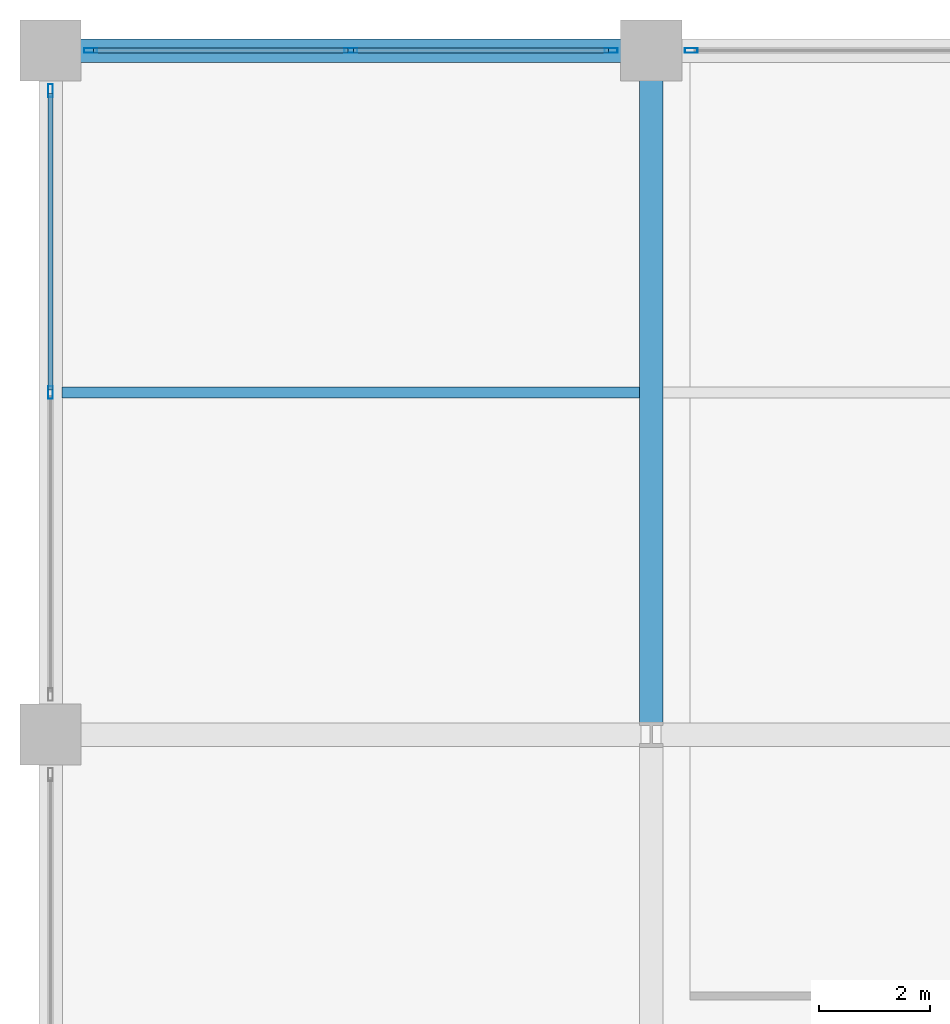
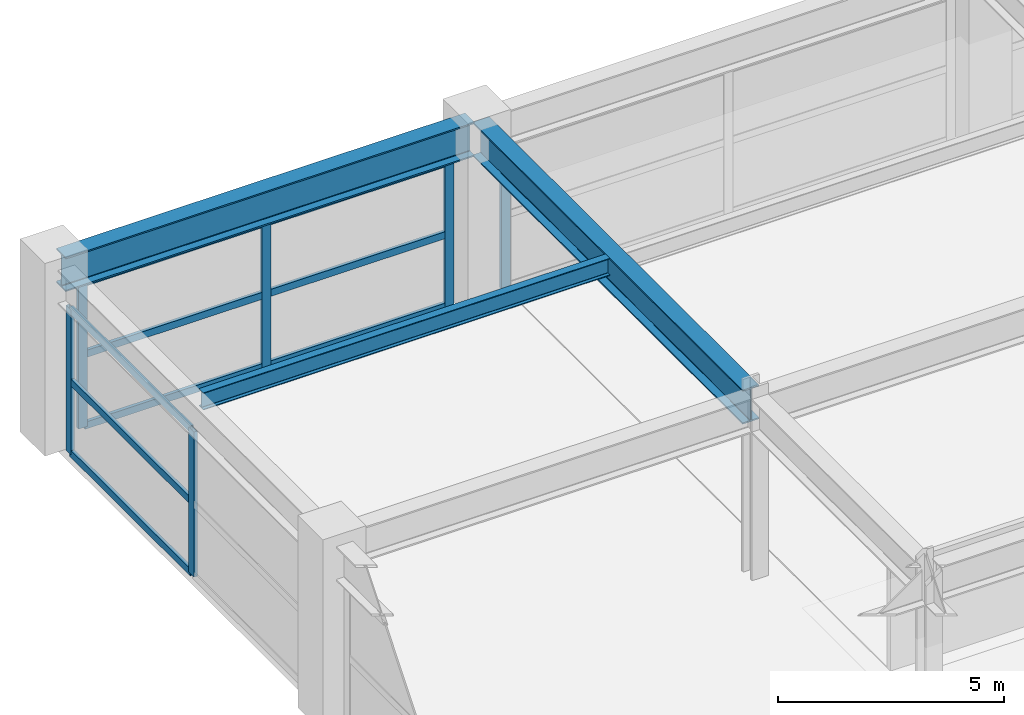
# One storey, part 15 of 45: 15 members, 3 beams, 3 elements without a shape of their own.
"""IFC4 building model written with IfcOpenShell, lengths in metres."""

from ifc_helpers import new_model, si_unit, direction, frame, origin, origin_2d, place, context, subcontext, project, spatial, hollow_rectangle, i_section, extrude, material, material_profile, profile_set, type_object, element, aggregate, save


model = new_model("IFC4")

# Units and contexts
model_context = context("Model", 3, precision=1e-05, world=origin(), true_north=direction((0.0, 1.0)))
body_context = subcontext(model_context, "Body", "Model", "MODEL_VIEW")
ifc_project = project(units=[si_unit("LENGTHUNIT", "METRE"), si_unit("AREAUNIT", "SQUARE_METRE"), si_unit("VOLUMEUNIT", "CUBIC_METRE"), si_unit("PLANEANGLEUNIT", "RADIAN"), si_unit("MASSUNIT", "GRAM", prefix="KILO")], contexts=[model_context])

# Site, building, storey
site_placement = place(None, origin())
site = spatial("IfcSite", under=ifc_project, at=site_placement, CompositionType="ELEMENT")
building_placement = place(site_placement, origin())
building = spatial("IfcBuilding", under=site, at=building_placement, Name="Kovane Verandah Tower", CompositionType="ELEMENT")
storey_placement = place(building_placement, frame((0.0, 0.0, 6.0)))
storey = spatial("IfcBuildingStorey", under=building, at=storey_placement, Name="L01", CompositionType="ELEMENT", Elevation=6.0)

# Beams
ifc_material_1 = material(Name="Steel S460", Category="steel")
ifc_material_profile_1 = material_profile(ifc_material_1, i_section(OverallWidth=0.42041015625, OverallDepth=0.9208984375, WebThickness=0.021484375, FlangeThickness=0.03662109375, FilletRadius=0.024169921875, at=origin_2d()), Name="UB914x419x388")
ifc_profile_set_1 = profile_set([ifc_material_profile_1], Name="Steel S460")
beam_type_1 = type_object("IfcBeamType", Name="BM-UB914x388", PredefinedType="BEAM", material=ifc_profile_set_1)
beam_1_placement = place(storey_placement, frame((-1.820068359375, 56.5, 4.439453125), z_axis=(1.0, 0.0, 0.0), x_axis=(0.0, 1.0, 0.0)))
element("IfcBeam", 1, at=beam_1_placement, inside=storey, type_object=beam_type_1, Name="L01 Podium Grid Girder X17", PredefinedType="BEAM", context=body_context, shape_type="SweptSolid", body=[
    extrude(i_section(OverallWidth=0.42041015625, OverallDepth=0.9208984375, WebThickness=0.021484375, FlangeThickness=0.03662109375, FilletRadius=0.024169921875, at=origin_2d()), origin(), (0.0, 0.0, 1.0), 10.440185546875),
])
beam_2_placement = place(storey_placement, frame((8.800048828125, 44.3798828125, 4.439453125), z_axis=(0.0, 1.0, 0.0), x_axis=(-1.0, 0.0, 0.0)))
element("IfcBeam", 2, at=beam_2_placement, inside=storey, type_object=beam_type_1, Name="L01 Podium Grid Girder Y31", PredefinedType="BEAM", context=body_context, shape_type="SweptSolid", body=[
    extrude(i_section(OverallWidth=0.42041015625, OverallDepth=0.9208984375, WebThickness=0.021484375, FlangeThickness=0.03662109375, FilletRadius=0.024169921875, at=origin_2d()), origin(), (0.0, 0.0, 1.0), 11.940185546875),
])

# Curtain wall, members
ifc_material_2 = material(Name="Champagne Anodised Aluminium Frame with Low-E Clear Laminated Glass", Category="aluminium")
curtain_wall_type = type_object("IfcCurtainWallType", Name="CW-SYS-01-POD", PredefinedType="NOTDEFINED", material=ifc_material_2)
curtain_wall_1_placement = place(storey_placement, origin())
curtain_wall_1 = element("IfcCurtainWall", 3, at=curtain_wall_1_placement, inside=storey, type_object=curtain_wall_type, Name="L01 North Podium Curtain Wall Bay 1", PredefinedType="NOTDEFINED")
ifc_material_3 = material(Name="Champagne Anodised Aluminium 6063-T6", Category="aluminium")
ifc_material_profile_2 = material_profile(ifc_material_3, hollow_rectangle(XDim=0.0849609375, YDim=0.22998046875, WallThickness=0.00390625, at=origin_2d()), Name="AL85x230x4")
ifc_profile_set_2 = profile_set([ifc_material_profile_2], Name="Champagne Anodised Aluminium 6063-T6")
member_type_1 = type_object("IfcMemberType", Name="CW-MUL-85x230", PredefinedType="MULLION", material=ifc_profile_set_2)
member_1_placement = place(storey_placement, frame((8.080078125, 56.5, 0.02001953125), z_axis=(0.0, 0.0, 1.0), x_axis=(0.0, 1.0, 0.0)))
member_1 = element("IfcMember", 4, at=member_1_placement, type_object=member_type_1, Name="L01 North Podium Curtain Wall Bay 1 Mullion 1", PredefinedType="MULLION", context=body_context, shape_type="SweptSolid", body=[
    extrude(hollow_rectangle(XDim=0.0849609375, YDim=0.22998046875, WallThickness=0.00390625, at=origin_2d()), origin(), (0.0, 0.0, 1.0), 3.9189453125),
])
member_2_placement = place(storey_placement, frame((3.39990234375, 56.5, 0.02001953125), z_axis=(0.0, 0.0, 1.0), x_axis=(0.0, 1.0, 0.0)))
member_2 = element("IfcMember", 5, at=member_2_placement, type_object=member_type_1, Name="L01 North Podium Curtain Wall Bay 1 Mullion 2", PredefinedType="MULLION", context=body_context, shape_type="SweptSolid", body=[
    extrude(hollow_rectangle(XDim=0.0849609375, YDim=0.22998046875, WallThickness=0.00390625, at=origin_2d()), origin(), (0.0, 0.0, 1.0), 3.9189453125),
])
member_3_placement = place(storey_placement, frame((-1.280029296875, 56.5, 0.02001953125), z_axis=(0.0, 0.0, 1.0), x_axis=(0.0, 1.0, 0.0)))
member_3 = element("IfcMember", 6, at=member_3_placement, type_object=member_type_1, Name="L01 North Podium Curtain Wall Bay 1 Mullion 3", PredefinedType="MULLION", context=body_context, shape_type="SweptSolid", body=[
    extrude(hollow_rectangle(XDim=0.0849609375, YDim=0.22998046875, WallThickness=0.00390625, at=origin_2d()), origin(), (0.0, 0.0, 1.0), 3.9189453125),
])

# Curtain wall, member
curtain_wall_2_placement = place(storey_placement, origin())
curtain_wall_2 = element("IfcCurtainWall", 7, at=curtain_wall_2_placement, inside=storey, type_object=curtain_wall_type, Name="L01 North Podium Curtain Wall Bay 2", PredefinedType="NOTDEFINED")
member_4_placement = place(storey_placement, frame((9.52001953125, 56.5, 0.02001953125), z_axis=(0.0, 0.0, 1.0), x_axis=(0.0, 1.0, 0.0)))
member_4 = element("IfcMember", 8, at=member_4_placement, type_object=member_type_1, Name="L01 North Podium Curtain Wall Bay 2 Mullion 3", PredefinedType="MULLION", context=body_context, shape_type="SweptSolid", body=[
    extrude(hollow_rectangle(XDim=0.0849609375, YDim=0.22998046875, WallThickness=0.00390625, at=origin_2d()), origin(), (0.0, 0.0, 1.0), 3.9189453125),
])
aggregate(curtain_wall_2, [member_4])

# Curtain wall, members
curtain_wall_3_placement = place(storey_placement, origin())
curtain_wall_3 = element("IfcCurtainWall", 9, at=curtain_wall_3_placement, inside=storey, type_object=curtain_wall_type, Name="L01 West Podium Curtain Wall Bay 5", PredefinedType="NOTDEFINED")
member_5_placement = place(storey_placement, frame((-2.0, 55.780029296875, 0.02001953125), z_axis=(0.0, 0.0, 1.0), x_axis=(-1.0, 0.0, 0.0)))
member_5 = element("IfcMember", 10, at=member_5_placement, type_object=member_type_1, Name="L01 West Podium Curtain Wall Bay 5 Mullion 1", PredefinedType="MULLION", context=body_context, shape_type="SweptSolid", body=[
    extrude(hollow_rectangle(XDim=0.0849609375, YDim=0.22998046875, WallThickness=0.00390625, at=origin_2d()), origin(), (0.0, 0.0, 1.0), 3.9189453125),
])
member_6_placement = place(storey_placement, frame((-2.0, 50.35009765625, 0.02001953125), z_axis=(0.0, 0.0, 1.0), x_axis=(-1.0, 0.0, 0.0)))
member_6 = element("IfcMember", 11, at=member_6_placement, type_object=member_type_1, Name="L01 West Podium Curtain Wall Bay 5 Mullion 2", PredefinedType="MULLION", context=body_context, shape_type="SweptSolid", body=[
    extrude(hollow_rectangle(XDim=0.0849609375, YDim=0.22998046875, WallThickness=0.00390625, at=origin_2d()), origin(), (0.0, 0.0, 1.0), 3.9189453125),
])

# Member
ifc_material_profile_3 = material_profile(ifc_material_3, hollow_rectangle(XDim=0.0849609375, YDim=0.18994140625, WallThickness=0.00390625, at=origin_2d()), Name="AL85x190x4")
ifc_profile_set_3 = profile_set([ifc_material_profile_3], Name="Champagne Anodised Aluminium 6063-T6")
member_type_2 = type_object("IfcMemberType", Name="CW-TRN-85x190", PredefinedType="USERDEFINED", material=ifc_profile_set_3)
member_7_placement = place(storey_placement, frame((8.030029296875, 56.5, 0.050048828125), z_axis=(-1.0, 0.0, 0.0), x_axis=(0.0, -1.0, 0.0)))
member_7 = element("IfcMember", 12, at=member_7_placement, type_object=member_type_2, Name="L01 North Podium Curtain Wall Bay 1 Transom TB Bay 1", ObjectType="TRANSOM", PredefinedType="USERDEFINED", context=body_context, shape_type="SweptSolid", body=[
    extrude(hollow_rectangle(XDim=0.0849609375, YDim=0.18994140625, WallThickness=0.00390625, at=origin_2d()), origin(), (0.0, 0.0, 1.0), 4.580078125),
])

member_8_placement = place(storey_placement, frame((8.030029296875, 56.5, 1.9794921875), z_axis=(-1.0, 0.0, 0.0), x_axis=(0.0, -1.0, 0.0)))
member_8 = element("IfcMember", 13, at=member_8_placement, type_object=member_type_2, Name="L01 North Podium Curtain Wall Bay 1 Transom TM Bay 1", ObjectType="TRANSOM", PredefinedType="USERDEFINED", context=body_context, shape_type="SweptSolid", body=[
    extrude(hollow_rectangle(XDim=0.0849609375, YDim=0.18994140625, WallThickness=0.00390625, at=origin_2d()), origin(), (0.0, 0.0, 1.0), 4.580078125),
])

member_9_placement = place(storey_placement, frame((8.030029296875, 56.5, 3.908935546875), z_axis=(-1.0, 0.0, 0.0), x_axis=(0.0, -1.0, 0.0)))
member_9 = element("IfcMember", 14, at=member_9_placement, type_object=member_type_2, Name="L01 North Podium Curtain Wall Bay 1 Transom TT Bay 1", ObjectType="TRANSOM", PredefinedType="USERDEFINED", context=body_context, shape_type="SweptSolid", body=[
    extrude(hollow_rectangle(XDim=0.0849609375, YDim=0.18994140625, WallThickness=0.00390625, at=origin_2d()), origin(), (0.0, 0.0, 1.0), 4.580078125),
])

member_10_placement = place(storey_placement, frame((3.35009765625, 56.5, 0.050048828125), z_axis=(-1.0, 0.0, 0.0), x_axis=(0.0, -1.0, 0.0)))
member_10 = element("IfcMember", 15, at=member_10_placement, type_object=member_type_2, Name="L01 North Podium Curtain Wall Bay 1 Transom TB Bay 2", ObjectType="TRANSOM", PredefinedType="USERDEFINED", context=body_context, shape_type="SweptSolid", body=[
    extrude(hollow_rectangle(XDim=0.0849609375, YDim=0.18994140625, WallThickness=0.00390625, at=origin_2d()), origin(), (0.0, 0.0, 1.0), 4.580078125),
])

member_11_placement = place(storey_placement, frame((3.35009765625, 56.5, 1.9794921875), z_axis=(-1.0, 0.0, 0.0), x_axis=(0.0, -1.0, 0.0)))
member_11 = element("IfcMember", 16, at=member_11_placement, type_object=member_type_2, Name="L01 North Podium Curtain Wall Bay 1 Transom TM Bay 2", ObjectType="TRANSOM", PredefinedType="USERDEFINED", context=body_context, shape_type="SweptSolid", body=[
    extrude(hollow_rectangle(XDim=0.0849609375, YDim=0.18994140625, WallThickness=0.00390625, at=origin_2d()), origin(), (0.0, 0.0, 1.0), 4.580078125),
])

member_12_placement = place(storey_placement, frame((3.35009765625, 56.5, 3.908935546875), z_axis=(-1.0, 0.0, 0.0), x_axis=(0.0, -1.0, 0.0)))
member_12 = element("IfcMember", 17, at=member_12_placement, type_object=member_type_2, Name="L01 North Podium Curtain Wall Bay 1 Transom TT Bay 2", ObjectType="TRANSOM", PredefinedType="USERDEFINED", context=body_context, shape_type="SweptSolid", body=[
    extrude(hollow_rectangle(XDim=0.0849609375, YDim=0.18994140625, WallThickness=0.00390625, at=origin_2d()), origin(), (0.0, 0.0, 1.0), 4.580078125),
])

aggregate(curtain_wall_1, [member_1, member_2, member_3, member_7, member_8, member_9, member_10, member_11, member_12])

member_13_placement = place(storey_placement, frame((-2.0, 55.72998046875, 0.050048828125), z_axis=(0.0, -1.0, 0.0), x_axis=(1.0, 0.0, 0.0)))
member_13 = element("IfcMember", 18, at=member_13_placement, type_object=member_type_2, Name="L01 West Podium Curtain Wall Bay 5 Transom TB Bay 1", ObjectType="TRANSOM", PredefinedType="USERDEFINED", context=body_context, shape_type="SweptSolid", body=[
    extrude(hollow_rectangle(XDim=0.0849609375, YDim=0.18994140625, WallThickness=0.00390625, at=origin_2d()), origin(), (0.0, 0.0, 1.0), 5.330078125),
])

member_14_placement = place(storey_placement, frame((-2.0, 55.72998046875, 1.9794921875), z_axis=(0.0, -1.0, 0.0), x_axis=(1.0, 0.0, 0.0)))
member_14 = element("IfcMember", 19, at=member_14_placement, type_object=member_type_2, Name="L01 West Podium Curtain Wall Bay 5 Transom TM Bay 1", ObjectType="TRANSOM", PredefinedType="USERDEFINED", context=body_context, shape_type="SweptSolid", body=[
    extrude(hollow_rectangle(XDim=0.0849609375, YDim=0.18994140625, WallThickness=0.00390625, at=origin_2d()), origin(), (0.0, 0.0, 1.0), 5.330078125),
])

member_15_placement = place(storey_placement, frame((-2.0, 55.72998046875, 3.908935546875), z_axis=(0.0, -1.0, 0.0), x_axis=(1.0, 0.0, 0.0)))
member_15 = element("IfcMember", 20, at=member_15_placement, type_object=member_type_2, Name="L01 West Podium Curtain Wall Bay 5 Transom TT Bay 1", ObjectType="TRANSOM", PredefinedType="USERDEFINED", context=body_context, shape_type="SweptSolid", body=[
    extrude(hollow_rectangle(XDim=0.0849609375, YDim=0.18994140625, WallThickness=0.00390625, at=origin_2d()), origin(), (0.0, 0.0, 1.0), 5.330078125),
])

aggregate(curtain_wall_3, [member_5, member_6, member_13, member_14, member_15])

# Beam
ifc_material_4 = material(Name="Steel S355", Category="steel")
ifc_material_profile_4 = material_profile(ifc_material_4, i_section(OverallWidth=0.19287109375, OverallDepth=0.46728515625, WebThickness=0.011474609375, FlangeThickness=0.01953125, FilletRadius=0.01025390625, at=origin_2d()), Name="UB457x191x98")
ifc_profile_set_4 = profile_set([ifc_material_profile_4], Name="Steel S355")
beam_type_2 = type_object("IfcBeamType", Name="JST-UB457x98", PredefinedType="JOIST", material=ifc_profile_set_4)
beam_3_placement = place(storey_placement, frame((-1.791748046875, 50.35009765625, 4.66650390625), z_axis=(1.0, 0.0, 0.0), x_axis=(0.0, 1.0, 0.0)))
element("IfcBeam", 21, at=beam_3_placement, inside=storey, type_object=beam_type_2, Name="L01 Podium Secondary Joist 01", PredefinedType="JOIST", context=body_context, shape_type="SweptSolid", body=[
    extrude(i_section(OverallWidth=0.19287109375, OverallDepth=0.46728515625, WebThickness=0.011474609375, FlangeThickness=0.01953125, FilletRadius=0.01025390625, at=origin_2d()), origin(), (0.0, 0.0, 1.0), 10.383544921875),
])

save(model, "model.ifc")
